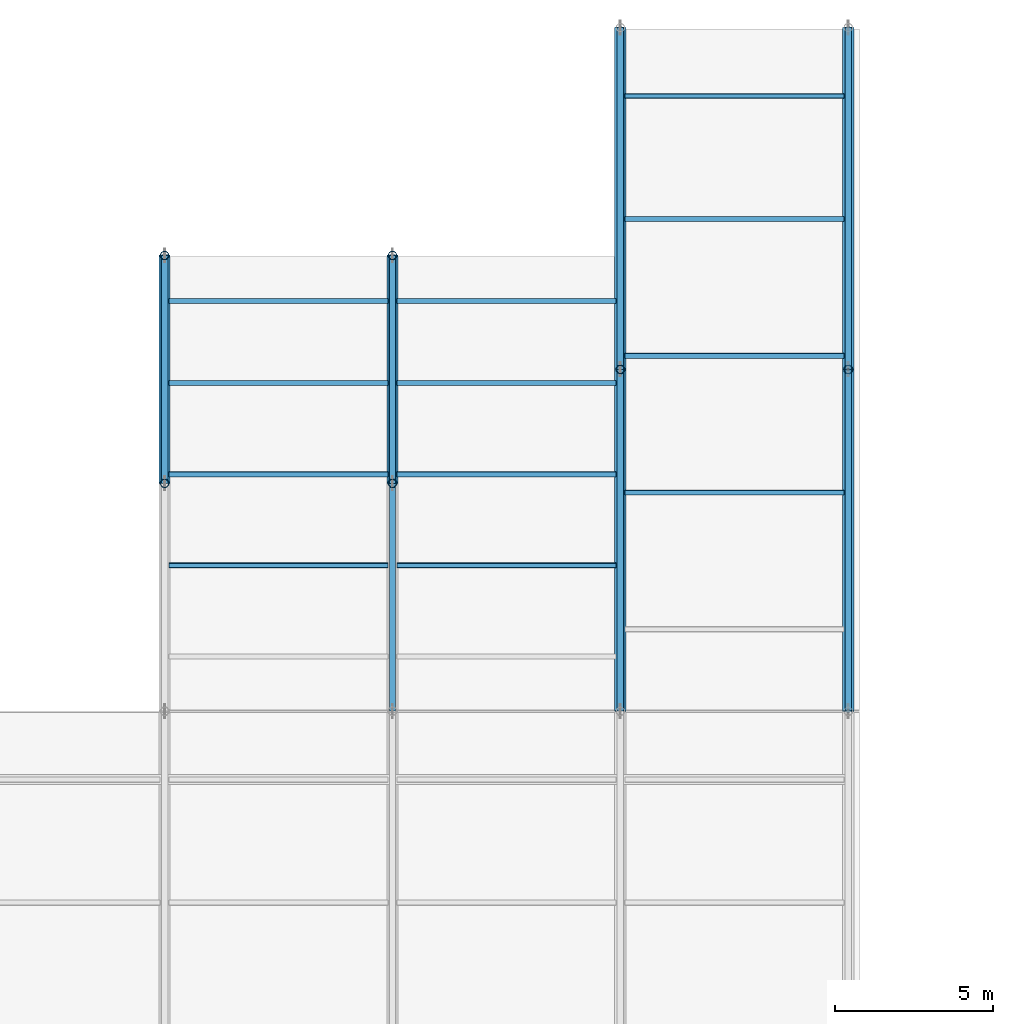
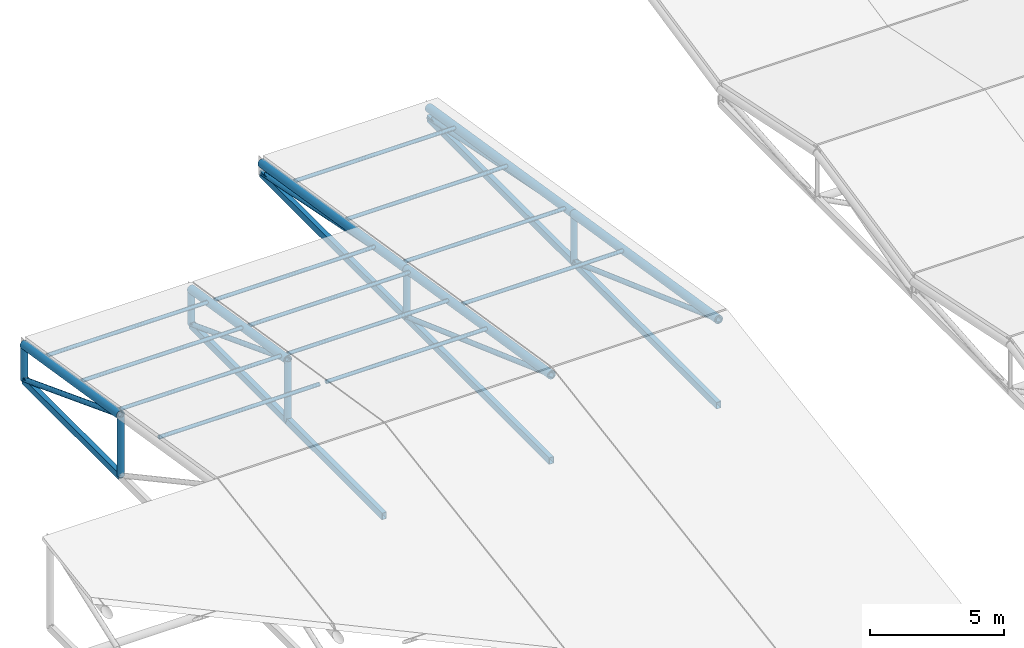
# One storey, part 22 of 72: 24 members, 13 beams.
"""IFC4 building model written with IfcOpenShell, lengths in metres."""

from ifc_helpers import new_model, si_unit, direction, frame, origin, origin_2d, place, context, subcontext, project, spatial, hollow_rectangle, hollow_circle, extrude, material, material_profile, profile_set, type_object, element, save


model = new_model("IFC4")

# Units and contexts
model_context = context("Model", 3, precision=1e-05, world=origin(), true_north=direction((0.0, 1.0)))
body_context = subcontext(model_context, "Body", "Model", "MODEL_VIEW")
ifc_project = project(units=[si_unit("LENGTHUNIT", "METRE"), si_unit("AREAUNIT", "SQUARE_METRE"), si_unit("VOLUMEUNIT", "CUBIC_METRE"), si_unit("PLANEANGLEUNIT", "RADIAN"), si_unit("MASSUNIT", "GRAM", prefix="KILO")], contexts=[model_context])

# Site, building, storey
site_placement = place(None, origin())
site = spatial("IfcSite", under=ifc_project, at=site_placement, CompositionType="ELEMENT")
building_placement = place(site_placement, origin())
building = spatial("IfcBuilding", under=site, at=building_placement, Name="Vaelcorin Mobility Hub", CompositionType="ELEMENT")
storey_placement = place(building_placement, frame((0.0, 0.0, 25.800048828125)))
storey = spatial("IfcBuildingStorey", under=building, at=storey_placement, Name="RF", CompositionType="ELEMENT", Elevation=25.800048828125)

# Members
ifc_material = material(Name="Steel ASTM A500 Grade C", Category="steel")
ifc_material_profile_1 = material_profile(ifc_material, hollow_circle(Radius=0.136474609375, WallThickness=0.0126953125, at=origin_2d()), Name="HSS10.750X0.500")
ifc_profile_set_1 = profile_set([ifc_material_profile_1], Name="Steel ASTM A500 Grade C")
member_type_1 = type_object("IfcMemberType", Name="SF-POST-10", PredefinedType="POST", material=ifc_profile_set_1)
member_1_placement = place(storey_placement, frame((13.199951171875, 105.60009765625, -4.199951171875), z_axis=(0.0, 0.0, 1.0), x_axis=(1.0, 0.0, 0.0)))
element("IfcMember", 1, at=member_1_placement, inside=storey, type_object=member_type_1, Name="V2W Drum Roof Truss Post 2-3", PredefinedType="POST", context=body_context, shape_type="SweptSolid", body=[
    extrude(hollow_circle(Radius=0.136474609375, WallThickness=0.0126953125, at=origin_2d()), origin(), (0.0, 0.0, 1.0), 2.747802734375),
])
member_2_placement = place(storey_placement, frame((13.199951171875, 112.800048828125, -4.199951171875), z_axis=(0.0, 0.0, 1.0), x_axis=(1.0, 0.0, 0.0)))
element("IfcMember", 2, at=member_2_placement, inside=storey, type_object=member_type_1, Name="V2W Drum Roof Truss Post 2-4", PredefinedType="POST", context=body_context, shape_type="SweptSolid", body=[
    extrude(hollow_circle(Radius=0.136474609375, WallThickness=0.0126953125, at=origin_2d()), origin(), (0.0, 0.0, 1.0), 1.595947265625),
])
member_3_placement = place(storey_placement, frame((20.39990234375, 105.60009765625, -4.199951171875), z_axis=(0.0, 0.0, 1.0), x_axis=(1.0, 0.0, 0.0)))
element("IfcMember", 3, at=member_3_placement, inside=storey, type_object=member_type_1, Name="V2W Drum Roof Truss Post 3-3", PredefinedType="POST", context=body_context, shape_type="SweptSolid", body=[
    extrude(hollow_circle(Radius=0.136474609375, WallThickness=0.0126953125, at=origin_2d()), origin(), (0.0, 0.0, 1.0), 2.747802734375),
])
member_4_placement = place(storey_placement, frame((20.39990234375, 112.800048828125, -4.199951171875), z_axis=(0.0, 0.0, 1.0), x_axis=(1.0, 0.0, 0.0)))
element("IfcMember", 4, at=member_4_placement, inside=storey, type_object=member_type_1, Name="V2W Drum Roof Truss Post 3-4", PredefinedType="POST", context=body_context, shape_type="SweptSolid", body=[
    extrude(hollow_circle(Radius=0.136474609375, WallThickness=0.0126953125, at=origin_2d()), origin(), (0.0, 0.0, 1.0), 1.595947265625),
])
for number, where, z_axis, x_axis, name in (
    (5, (27.60009765625, 109.199951171875, -4.199951171875), (0.0, 0.0, 1.0), (1.0, 0.0, 0.0), "V2W Drum Roof Truss Post 4-3"),
    (6, (34.800048828125, 109.199951171875, -4.199951171875), (0.0, 0.0, 1.0), (1.0, 0.0, 0.0), "V2W Drum Roof Truss Post 5-3"),
):
    element("IfcMember", number, at=place(storey_placement, frame(where, z_axis=z_axis, x_axis=x_axis)), inside=storey, type_object=member_type_1, Name=name, PredefinedType="POST", context=body_context, shape_type="SweptSolid", body=[
        extrude(hollow_circle(Radius=0.136474609375, WallThickness=0.0126953125, at=origin_2d()), origin(), (0.0, 0.0, 1.0), 2.171875),
    ])
ifc_material_profile_2 = material_profile(ifc_material, hollow_circle(Radius=0.084228515625, WallThickness=0.0078125, at=origin_2d()), Name="HSS6.625X0.312")
ifc_profile_set_2 = profile_set([ifc_material_profile_2], Name="Steel ASTM A500 Grade C")
member_type_2 = type_object("IfcMemberType", Name="SF-PURL-6", PredefinedType="PURLIN", material=ifc_profile_set_2)
for number, where, z_axis, x_axis, name in (
    (7, (13.340087890625, 103.008056640625, -0.942138671875), (1.0, 0.0, 0.0), (0.0, 1.0, 0.0), "V2W Drum Roof Purlin 2-2-2"),
    (8, (13.340087890625, 105.887939453125, -1.403076171875), (1.0, 0.0, 0.0), (0.0, 1.0, 0.0), "V2W Drum Roof Purlin 2-2-3"),
    (9, (13.340087890625, 108.76806640625, -1.864013671875), (1.0, 0.0, 0.0), (0.0, 1.0, 0.0), "V2W Drum Roof Purlin 2-2-4"),
    (10, (13.340087890625, 111.360107421875, -2.279052734375), (1.0, 0.0, 0.0), (0.0, 1.0, 0.0), "V2W Drum Roof Purlin 2-2-5"),
    (11, (20.5400390625, 103.008056640625, -0.942138671875), (1.0, 0.0, 0.0), (0.0, 1.0, 0.0), "V2W Drum Roof Purlin 3-2-2"),
    (12, (20.5400390625, 105.887939453125, -1.403076171875), (1.0, 0.0, 0.0), (0.0, 1.0, 0.0), "V2W Drum Roof Purlin 3-2-3"),
    (13, (20.5400390625, 108.76806640625, -1.864013671875), (1.0, 0.0, 0.0), (0.0, 1.0, 0.0), "V2W Drum Roof Purlin 3-2-4"),
    (14, (20.5400390625, 111.360107421875, -2.279052734375), (1.0, 0.0, 0.0), (0.0, 1.0, 0.0), "V2W Drum Roof Purlin 3-2-5"),
    (15, (27.739990234375, 105.31201171875, -1.31103515625), (1.0, 0.0, 0.0), (0.0, 1.0, 0.0), "V2W Drum Roof Purlin 4-2-2"),
    (16, (27.739990234375, 109.632080078125, -2.001953125), (1.0, 0.0, 0.0), (0.0, 1.0, 0.0), "V2W Drum Roof Purlin 4-2-3"),
    (17, (27.739990234375, 113.951904296875, -2.693115234375), (1.0, 0.0, 0.0), (0.0, 1.0, 0.0), "V2W Drum Roof Purlin 4-2-4"),
    (18, (27.739990234375, 117.840087890625, -3.31494140625), (1.0, 0.0, 0.0), (0.0, 1.0, 0.0), "V2W Drum Roof Purlin 4-2-5"),
):
    element("IfcMember", number, at=place(storey_placement, frame(where, z_axis=z_axis, x_axis=x_axis)), inside=storey, type_object=member_type_2, Name=name, PredefinedType="PURLIN", context=body_context, shape_type="SweptSolid", body=[
        extrude(hollow_circle(Radius=0.084228515625, WallThickness=0.0078125, at=origin_2d()), origin(), (0.0, 0.0, 1.0), 6.919921875),
    ])

# Beams
ifc_material_profile_3 = material_profile(ifc_material, hollow_circle(Radius=0.177734375, WallThickness=0.0126953125, at=origin_2d()), Name="HSS14.000X0.500")
ifc_profile_set_3 = profile_set([ifc_material_profile_3], Name="Steel ASTM A500 Grade C")
beam_type_1 = type_object("IfcBeamType", Name="TR-CHORD-14", PredefinedType="BEAM", material=ifc_profile_set_3)
for number, where, z_axis, x_axis, name in (
    (19, (13.199951171875, 105.60009765625, -1.4521484375), (0.0, 0.987443556929, -0.157972218697), (-1.0, 0.0, 0.0), "V2W Drum Roof Truss Upper Chord 2-4"),
    (20, (20.39990234375, 105.60009765625, -1.4521484375), (0.0, 0.987443556929, -0.157972218697), (-1.0, 0.0, 0.0), "V2W Drum Roof Truss Upper Chord 3-4"),
):
    element("IfcBeam", number, at=place(storey_placement, frame(where, z_axis=z_axis, x_axis=x_axis)), inside=storey, type_object=beam_type_1, Name=name, PredefinedType="BEAM", context=body_context, shape_type="SweptSolid", body=[
        extrude(hollow_circle(Radius=0.177734375, WallThickness=0.0126953125, at=origin_2d()), origin(), (0.0, 0.0, 1.0), 7.29150390625),
    ])
for number, where, z_axis, x_axis, name in (
    (21, (27.60009765625, 98.39990234375, -0.300048828125), (0.0, 0.987440353331, -0.15799224226), (-1.0, 0.0, 0.0), "V2W Drum Roof Truss Upper Chord 4-3"),
    (22, (27.60009765625, 109.199951171875, -2.028076171875), (0.0, 0.987440353331, -0.15799224226), (-1.0, 0.0, 0.0), "V2W Drum Roof Truss Upper Chord 4-4"),
    (23, (34.800048828125, 98.39990234375, -0.300048828125), (0.0, 0.987440353331, -0.15799224226), (-1.0, 0.0, 0.0), "V2W Drum Roof Truss Upper Chord 5-3"),
    (24, (34.800048828125, 109.199951171875, -2.028076171875), (0.0, 0.987440353331, -0.15799224226), (-1.0, 0.0, 0.0), "V2W Drum Roof Truss Upper Chord 5-4"),
):
    element("IfcBeam", number, at=place(storey_placement, frame(where, z_axis=z_axis, x_axis=x_axis)), inside=storey, type_object=beam_type_1, Name=name, PredefinedType="BEAM", context=body_context, shape_type="SweptSolid", body=[
        extrude(hollow_circle(Radius=0.177734375, WallThickness=0.0126953125, at=origin_2d()), origin(), (0.0, 0.0, 1.0), 10.9375),
    ])
ifc_material_profile_4 = material_profile(ifc_material, hollow_rectangle(XDim=0.203125, YDim=0.3046875, WallThickness=0.01171875, at=origin_2d()), Name="HSS12X8X0.500")
ifc_profile_set_4 = profile_set([ifc_material_profile_4], Name="Steel ASTM A500 Grade C")
beam_type_2 = type_object("IfcBeamType", Name="TR-CHORD-RHS12", PredefinedType="BEAM", material=ifc_profile_set_4)
beam_1_placement = place(storey_placement, frame((13.199951171875, 105.60009765625, -4.199951171875), z_axis=(0.0, 1.0, 0.0), x_axis=(-1.0, 0.0, 0.0)))
element("IfcBeam", 25, at=beam_1_placement, inside=storey, type_object=beam_type_2, Name="V2W Drum Roof Truss Lower Chord 2-4", PredefinedType="BEAM", context=body_context, shape_type="SweptSolid", body=[
    extrude(hollow_rectangle(XDim=0.203125, YDim=0.3046875, WallThickness=0.01171875, at=origin_2d()), origin(), (0.0, 0.0, 1.0), 7.199951171875),
])
beam_2_placement = place(storey_placement, frame((20.39990234375, 98.39990234375, -4.199951171875), z_axis=(0.0, 1.0, 0.0), x_axis=(-1.0, 0.0, 0.0)))
element("IfcBeam", 26, at=beam_2_placement, inside=storey, type_object=beam_type_2, Name="V2W Drum Roof Truss Lower Chord 3-3", PredefinedType="BEAM", context=body_context, shape_type="SweptSolid", body=[
    extrude(hollow_rectangle(XDim=0.203125, YDim=0.3046875, WallThickness=0.01171875, at=origin_2d()), origin(), (0.0, 0.0, 1.0), 7.2001953125),
])
beam_3_placement = place(storey_placement, frame((20.39990234375, 105.60009765625, -4.199951171875), z_axis=(0.0, 1.0, 0.0), x_axis=(-1.0, 0.0, 0.0)))
element("IfcBeam", 27, at=beam_3_placement, inside=storey, type_object=beam_type_2, Name="V2W Drum Roof Truss Lower Chord 3-4", PredefinedType="BEAM", context=body_context, shape_type="SweptSolid", body=[
    extrude(hollow_rectangle(XDim=0.203125, YDim=0.3046875, WallThickness=0.01171875, at=origin_2d()), origin(), (0.0, 0.0, 1.0), 7.199951171875),
])
for number, where, z_axis, x_axis, name in (
    (28, (27.60009765625, 98.39990234375, -4.199951171875), (0.0, 1.0, 0.0), (-1.0, 0.0, 0.0), "V2W Drum Roof Truss Lower Chord 4-3"),
    (29, (27.60009765625, 109.199951171875, -4.199951171875), (0.0, 1.0, 0.0), (-1.0, 0.0, 0.0), "V2W Drum Roof Truss Lower Chord 4-4"),
    (30, (34.800048828125, 98.39990234375, -4.199951171875), (0.0, 1.0, 0.0), (-1.0, 0.0, 0.0), "V2W Drum Roof Truss Lower Chord 5-3"),
    (31, (34.800048828125, 109.199951171875, -4.199951171875), (0.0, 1.0, 0.0), (-1.0, 0.0, 0.0), "V2W Drum Roof Truss Lower Chord 5-4"),
):
    element("IfcBeam", number, at=place(storey_placement, frame(where, z_axis=z_axis, x_axis=x_axis)), inside=storey, type_object=beam_type_2, Name=name, PredefinedType="BEAM", context=body_context, shape_type="SweptSolid", body=[
        extrude(hollow_rectangle(XDim=0.203125, YDim=0.3046875, WallThickness=0.01171875, at=origin_2d()), origin(), (0.0, 0.0, 1.0), 10.800048828125),
    ])

# Members
ifc_material_profile_5 = material_profile(ifc_material, hollow_circle(Radius=0.109619140625, WallThickness=0.009521484375, at=origin_2d()), Name="HSS8.625X0.375")
ifc_profile_set_5 = profile_set([ifc_material_profile_5], Name="Steel ASTM A500 Grade C")
member_type_3 = type_object("IfcMemberType", Name="TR-WEB-8", PredefinedType="BRACE", material=ifc_profile_set_5)
for number, where, z_axis, x_axis, name in (
    (32, (13.199951171875, 105.60009765625, -1.4521484375), (0.0, 0.934273271178, -0.356557786006), (-1.0, 0.0, 0.0), "V2W Drum Roof Truss Web Diagonal 2-4"),
    (33, (20.39990234375, 105.60009765625, -1.4521484375), (0.0, 0.934273271178, -0.356557786006), (-1.0, 0.0, 0.0), "V2W Drum Roof Truss Web Diagonal 3-4"),
):
    element("IfcMember", number, at=place(storey_placement, frame(where, z_axis=z_axis, x_axis=x_axis)), inside=storey, type_object=member_type_3, Name=name, PredefinedType="BRACE", context=body_context, shape_type="SweptSolid", body=[
        extrude(hollow_circle(Radius=0.109619140625, WallThickness=0.009521484375, at=origin_2d()), origin(), (0.0, 0.0, 1.0), 7.70654296875),
    ])
member_5_placement = place(storey_placement, frame((27.60009765625, 98.39990234375, -0.300048828125), z_axis=(0.0, 0.940557107057, -0.339635581711), x_axis=(-1.0, 0.0, 0.0)))
element("IfcMember", 34, at=member_5_placement, inside=storey, type_object=member_type_3, Name="V2W Drum Roof Truss Web Diagonal 4-3", PredefinedType="BRACE", context=body_context, shape_type="SweptSolid", body=[
    extrude(hollow_circle(Radius=0.109619140625, WallThickness=0.009521484375, at=origin_2d()), origin(), (0.0, 0.0, 1.0), 11.482666015625),
])
member_6_placement = place(storey_placement, frame((27.60009765625, 109.199951171875, -2.028076171875), z_axis=(0.0, 0.980373000896, -0.197151665257), x_axis=(-1.0, 0.0, 0.0)))
element("IfcMember", 35, at=member_6_placement, inside=storey, type_object=member_type_3, Name="V2W Drum Roof Truss Web Diagonal 4-4", PredefinedType="BRACE", context=body_context, shape_type="SweptSolid", body=[
    extrude(hollow_circle(Radius=0.109619140625, WallThickness=0.009521484375, at=origin_2d()), origin(), (0.0, 0.0, 1.0), 11.016357421875),
])
member_7_placement = place(storey_placement, frame((34.800048828125, 98.39990234375, -0.300048828125), z_axis=(0.0, 0.940557107057, -0.339635581711), x_axis=(-1.0, 0.0, 0.0)))
element("IfcMember", 36, at=member_7_placement, inside=storey, type_object=member_type_3, Name="V2W Drum Roof Truss Web Diagonal 5-3", PredefinedType="BRACE", context=body_context, shape_type="SweptSolid", body=[
    extrude(hollow_circle(Radius=0.109619140625, WallThickness=0.009521484375, at=origin_2d()), origin(), (0.0, 0.0, 1.0), 11.482666015625),
])
member_8_placement = place(storey_placement, frame((34.800048828125, 109.199951171875, -2.028076171875), z_axis=(0.0, 0.980373000896, -0.197151665257), x_axis=(-1.0, 0.0, 0.0)))
element("IfcMember", 37, at=member_8_placement, inside=storey, type_object=member_type_3, Name="V2W Drum Roof Truss Web Diagonal 5-4", PredefinedType="BRACE", context=body_context, shape_type="SweptSolid", body=[
    extrude(hollow_circle(Radius=0.109619140625, WallThickness=0.009521484375, at=origin_2d()), origin(), (0.0, 0.0, 1.0), 11.016357421875),
])

save(model, "model.ifc")
